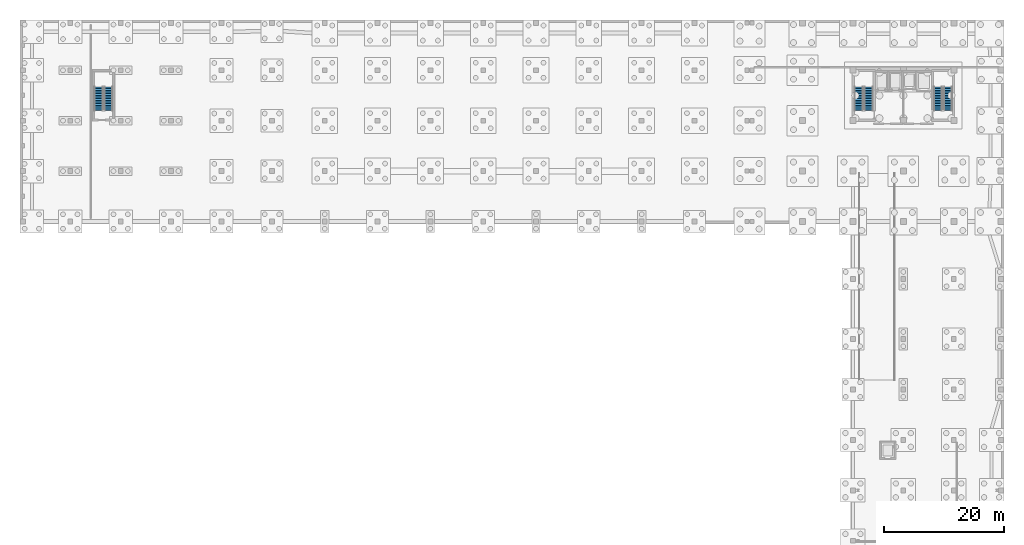
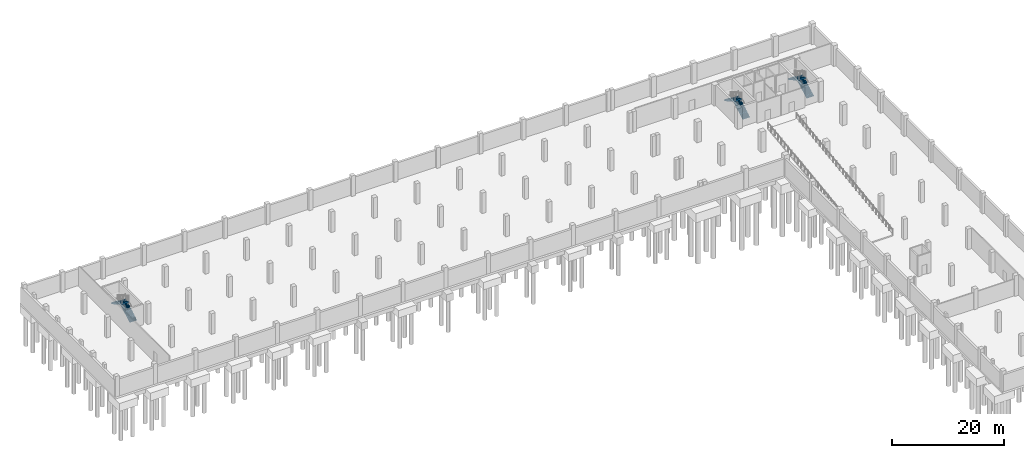
# One storey, part 14 of 18: 6 stair flights, 3 elements without a shape of their own.
"""IFC4 building model written with IfcOpenShell, lengths in metres."""

from ifc_helpers import new_model, si_unit, direction, frame, origin, place, context, subcontext, project, spatial, polyline, outline, extrude, material, type_object, element, aggregate, save


model = new_model("IFC4")

# Units and contexts
model_context = context("Model", 3, precision=1e-05, world=origin(), true_north=direction((0.0, 1.0)))
body_context = subcontext(model_context, "Body", "Model", "MODEL_VIEW")
ifc_project = project(units=[si_unit("LENGTHUNIT", "METRE"), si_unit("AREAUNIT", "SQUARE_METRE"), si_unit("VOLUMEUNIT", "CUBIC_METRE"), si_unit("PLANEANGLEUNIT", "RADIAN"), si_unit("MASSUNIT", "GRAM", prefix="KILO")], contexts=[model_context])

# Site, building, storey
site_placement = place(None, origin())
site = spatial("IfcSite", under=ifc_project, at=site_placement, CompositionType="ELEMENT")
building_placement = place(site_placement, origin())
building = spatial("IfcBuilding", under=site, at=building_placement, Name="Brinegate Botanical Conservatory", CompositionType="ELEMENT")
storey_placement = place(building_placement, frame((0.0, 0.0, -9.60009765625)))
storey = spatial("IfcBuildingStorey", under=building, at=storey_placement, Name="B2", CompositionType="ELEMENT", Elevation=-9.60009765625)

# Stair, stair flights
ifc_material = material(Name="Concrete C40/50", Category="concrete")
stair_type = type_object("IfcStairType", Name="Stair_HT-4800", PredefinedType="HALF_TURN_STAIR", material=ifc_material)
stair_1_placement = place(storey_placement, origin())
stair_1 = element("IfcStair", 1, at=stair_1_placement, inside=storey, type_object=stair_type, Name="B2 Tower West Smoke-Proof Stair ST1", PredefinedType="HALF_TURN_STAIR")
stair_flight_type = type_object("IfcStairFlightType", Name="Flight_SF-4800", PredefinedType="STRAIGHT", material=ifc_material)
stair_flight_1_placement = place(storey_placement, frame((141.425048828125, 96.89990234375, 0.0), z_axis=(0.0, 0.0, 1.0), x_axis=(0.0, 1.0, 0.0)))
stair_flight_1 = element("IfcStairFlight", 2, at=stair_flight_1_placement, type_object=stair_flight_type, Name="ST1 flight 1", NumberOfRisers=15, NumberOfTreads=14, PredefinedType="STRAIGHT", RiserHeight=0.16, TreadLength=0.28, context=body_context, shape_type="SweptSolid", body=[
    extrude(outline(polyline([(-0.00048828125, 0.0), (-0.00048828125, 0.159912109375), (0.280029296875, 0.159912109375), (0.280029296875, 0.320068359375), (0.56005859375, 0.320068359375), (0.56005859375, 0.47998046875), (0.840087890625, 0.47998046875), (0.840087890625, 0.639892578125), (1.1201171875, 0.639892578125), (1.1201171875, 0.800048828125), (1.39990234375, 0.800048828125), (1.39990234375, 0.9599609375), (1.679931640625, 0.9599609375), (1.679931640625, 1.1201171875), (1.9599609375, 1.1201171875), (1.9599609375, 1.280029296875), (2.239990234375, 1.280029296875), (2.239990234375, 1.43994140625), (2.52001953125, 1.43994140625), (2.52001953125, 1.60009765625), (2.800048828125, 1.60009765625), (2.800048828125, 1.760009765625), (3.080078125, 1.760009765625), (3.080078125, 1.919921875), (3.360107421875, 1.919921875), (3.360107421875, 2.080078125), (3.639892578125, 2.080078125), (3.639892578125, 2.239990234375), (3.919921875, 2.239990234375), (3.919921875, 2.39990234375), (3.92041015625, 2.39990234375), (3.92041015625, 2.0673828125), (0.30224609375, 0.0), (-0.00048828125, 0.0)])), frame((0.0, 0.72509765625, 0.0), z_axis=(0.0, -1.0, 0.0), x_axis=(1.0, 0.0, 0.0)), (0.0, 0.0, 1.0), 1.449951171875),
])
stair_flight_2_placement = place(storey_placement, frame((139.77490234375, 100.820068359375, 2.400146484375), z_axis=(0.0, 0.0, 1.0), x_axis=(0.0, -1.0, 0.0)))
stair_flight_2 = element("IfcStairFlight", 3, at=stair_flight_2_placement, type_object=stair_flight_type, Name="ST1 flight 2", NumberOfRisers=15, NumberOfTreads=14, PredefinedType="STRAIGHT", RiserHeight=0.16, TreadLength=0.28, context=body_context, shape_type="SweptSolid", body=[
    extrude(outline(polyline([(-0.00048828125, 0.0), (-0.00048828125, 0.159912109375), (0.280029296875, 0.159912109375), (0.280029296875, 0.320068359375), (0.56005859375, 0.320068359375), (0.56005859375, 0.47998046875), (0.840087890625, 0.47998046875), (0.840087890625, 0.639892578125), (1.1201171875, 0.639892578125), (1.1201171875, 0.800048828125), (1.39990234375, 0.800048828125), (1.39990234375, 0.9599609375), (1.679931640625, 0.9599609375), (1.679931640625, 1.1201171875), (1.9599609375, 1.1201171875), (1.9599609375, 1.280029296875), (2.239990234375, 1.280029296875), (2.239990234375, 1.43994140625), (2.52001953125, 1.43994140625), (2.52001953125, 1.60009765625), (2.800048828125, 1.60009765625), (2.800048828125, 1.760009765625), (3.080078125, 1.760009765625), (3.080078125, 1.919921875), (3.360107421875, 1.919921875), (3.360107421875, 2.080078125), (3.639892578125, 2.080078125), (3.639892578125, 2.239990234375), (3.919921875, 2.239990234375), (3.919921875, 2.39990234375), (3.92041015625, 2.39990234375), (3.92041015625, 2.0673828125), (0.30224609375, 0.0), (-0.00048828125, 0.0)])), frame((0.0, 0.72509765625, 0.0), z_axis=(0.0, -1.0, 0.0), x_axis=(1.0, 0.0, 0.0)), (0.0, 0.0, 1.0), 1.449951171875),
])
aggregate(stair_1, [stair_flight_1, stair_flight_2])

stair_2_placement = place(storey_placement, origin())
stair_2 = element("IfcStair", 4, at=stair_2_placement, inside=storey, type_object=stair_type, Name="B2 Tower East Smoke-Proof Stair ST2", PredefinedType="HALF_TURN_STAIR")
stair_flight_3_placement = place(storey_placement, frame((154.625, 96.89990234375, 0.0), z_axis=(0.0, 0.0, 1.0), x_axis=(0.0, 1.0, 0.0)))
stair_flight_3 = element("IfcStairFlight", 5, at=stair_flight_3_placement, type_object=stair_flight_type, Name="ST2 flight 1", NumberOfRisers=15, NumberOfTreads=14, PredefinedType="STRAIGHT", RiserHeight=0.16, TreadLength=0.28, context=body_context, shape_type="SweptSolid", body=[
    extrude(outline(polyline([(-0.00048828125, 0.0), (-0.00048828125, 0.159912109375), (0.280029296875, 0.159912109375), (0.280029296875, 0.320068359375), (0.56005859375, 0.320068359375), (0.56005859375, 0.47998046875), (0.840087890625, 0.47998046875), (0.840087890625, 0.639892578125), (1.1201171875, 0.639892578125), (1.1201171875, 0.800048828125), (1.39990234375, 0.800048828125), (1.39990234375, 0.9599609375), (1.679931640625, 0.9599609375), (1.679931640625, 1.1201171875), (1.9599609375, 1.1201171875), (1.9599609375, 1.280029296875), (2.239990234375, 1.280029296875), (2.239990234375, 1.43994140625), (2.52001953125, 1.43994140625), (2.52001953125, 1.60009765625), (2.800048828125, 1.60009765625), (2.800048828125, 1.760009765625), (3.080078125, 1.760009765625), (3.080078125, 1.919921875), (3.360107421875, 1.919921875), (3.360107421875, 2.080078125), (3.639892578125, 2.080078125), (3.639892578125, 2.239990234375), (3.919921875, 2.239990234375), (3.919921875, 2.39990234375), (3.92041015625, 2.39990234375), (3.92041015625, 2.0673828125), (0.30224609375, 0.0), (-0.00048828125, 0.0)])), frame((0.0, 0.72509765625, 0.0), z_axis=(0.0, -1.0, 0.0), x_axis=(1.0, 0.0, 0.0)), (0.0, 0.0, 1.0), 1.449951171875),
])
stair_flight_4_placement = place(storey_placement, frame((152.97509765625, 100.820068359375, 2.400146484375), z_axis=(0.0, 0.0, 1.0), x_axis=(0.0, -1.0, 0.0)))
stair_flight_4 = element("IfcStairFlight", 6, at=stair_flight_4_placement, type_object=stair_flight_type, Name="ST2 flight 2", NumberOfRisers=15, NumberOfTreads=14, PredefinedType="STRAIGHT", RiserHeight=0.16, TreadLength=0.28, context=body_context, shape_type="SweptSolid", body=[
    extrude(outline(polyline([(-0.00048828125, 0.0), (-0.00048828125, 0.159912109375), (0.280029296875, 0.159912109375), (0.280029296875, 0.320068359375), (0.56005859375, 0.320068359375), (0.56005859375, 0.47998046875), (0.840087890625, 0.47998046875), (0.840087890625, 0.639892578125), (1.1201171875, 0.639892578125), (1.1201171875, 0.800048828125), (1.39990234375, 0.800048828125), (1.39990234375, 0.9599609375), (1.679931640625, 0.9599609375), (1.679931640625, 1.1201171875), (1.9599609375, 1.1201171875), (1.9599609375, 1.280029296875), (2.239990234375, 1.280029296875), (2.239990234375, 1.43994140625), (2.52001953125, 1.43994140625), (2.52001953125, 1.60009765625), (2.800048828125, 1.60009765625), (2.800048828125, 1.760009765625), (3.080078125, 1.760009765625), (3.080078125, 1.919921875), (3.360107421875, 1.919921875), (3.360107421875, 2.080078125), (3.639892578125, 2.080078125), (3.639892578125, 2.239990234375), (3.919921875, 2.239990234375), (3.919921875, 2.39990234375), (3.92041015625, 2.39990234375), (3.92041015625, 2.0673828125), (0.30224609375, 0.0), (-0.00048828125, 0.0)])), frame((0.0, 0.72509765625, 0.0), z_axis=(0.0, -1.0, 0.0), x_axis=(1.0, 0.0, 0.0)), (0.0, 0.0, 1.0), 1.449951171875),
])
aggregate(stair_2, [stair_flight_3, stair_flight_4])

stair_3_placement = place(storey_placement, origin())
stair_3 = element("IfcStair", 7, at=stair_3_placement, inside=storey, type_object=stair_type, Name="B2 West Basement Car-Park Smoke-Proof Stair ST8", PredefinedType="HALF_TURN_STAIR")
stair_flight_5_placement = place(storey_placement, frame((14.77490234375, 96.89990234375, 0.0), z_axis=(0.0, 0.0, 1.0), x_axis=(0.0, 1.0, 0.0)))
stair_flight_5 = element("IfcStairFlight", 8, at=stair_flight_5_placement, type_object=stair_flight_type, Name="ST8 flight 1", NumberOfRisers=15, NumberOfTreads=14, PredefinedType="STRAIGHT", RiserHeight=0.16, TreadLength=0.28, context=body_context, shape_type="SweptSolid", body=[
    extrude(outline(polyline([(-0.00048828125, 0.0), (-0.00048828125, 0.159912109375), (0.280029296875, 0.159912109375), (0.280029296875, 0.320068359375), (0.56005859375, 0.320068359375), (0.56005859375, 0.47998046875), (0.840087890625, 0.47998046875), (0.840087890625, 0.639892578125), (1.1201171875, 0.639892578125), (1.1201171875, 0.800048828125), (1.39990234375, 0.800048828125), (1.39990234375, 0.9599609375), (1.679931640625, 0.9599609375), (1.679931640625, 1.1201171875), (1.9599609375, 1.1201171875), (1.9599609375, 1.280029296875), (2.239990234375, 1.280029296875), (2.239990234375, 1.43994140625), (2.52001953125, 1.43994140625), (2.52001953125, 1.60009765625), (2.800048828125, 1.60009765625), (2.800048828125, 1.760009765625), (3.080078125, 1.760009765625), (3.080078125, 1.919921875), (3.360107421875, 1.919921875), (3.360107421875, 2.080078125), (3.639892578125, 2.080078125), (3.639892578125, 2.239990234375), (3.919921875, 2.239990234375), (3.919921875, 2.39990234375), (3.92041015625, 2.39990234375), (3.92041015625, 2.0673828125), (0.30224609375, 0.0), (-0.00048828125, 0.0)])), frame((0.0, 0.72509765625, 0.0), z_axis=(0.0, -1.0, 0.0), x_axis=(1.0, 0.0, 0.0)), (0.0, 0.0, 1.0), 1.449951171875),
])
stair_flight_6_placement = place(storey_placement, frame((13.125, 100.820068359375, 2.400146484375), z_axis=(0.0, 0.0, 1.0), x_axis=(0.0, -1.0, 0.0)))
stair_flight_6 = element("IfcStairFlight", 9, at=stair_flight_6_placement, type_object=stair_flight_type, Name="ST8 flight 2", NumberOfRisers=15, NumberOfTreads=14, PredefinedType="STRAIGHT", RiserHeight=0.16, TreadLength=0.28, context=body_context, shape_type="SweptSolid", body=[
    extrude(outline(polyline([(-0.00048828125, 0.0), (-0.00048828125, 0.159912109375), (0.280029296875, 0.159912109375), (0.280029296875, 0.320068359375), (0.56005859375, 0.320068359375), (0.56005859375, 0.47998046875), (0.840087890625, 0.47998046875), (0.840087890625, 0.639892578125), (1.1201171875, 0.639892578125), (1.1201171875, 0.800048828125), (1.39990234375, 0.800048828125), (1.39990234375, 0.9599609375), (1.679931640625, 0.9599609375), (1.679931640625, 1.1201171875), (1.9599609375, 1.1201171875), (1.9599609375, 1.280029296875), (2.239990234375, 1.280029296875), (2.239990234375, 1.43994140625), (2.52001953125, 1.43994140625), (2.52001953125, 1.60009765625), (2.800048828125, 1.60009765625), (2.800048828125, 1.760009765625), (3.080078125, 1.760009765625), (3.080078125, 1.919921875), (3.360107421875, 1.919921875), (3.360107421875, 2.080078125), (3.639892578125, 2.080078125), (3.639892578125, 2.239990234375), (3.919921875, 2.239990234375), (3.919921875, 2.39990234375), (3.92041015625, 2.39990234375), (3.92041015625, 2.0673828125), (0.30224609375, 0.0), (-0.00048828125, 0.0)])), frame((0.0, 0.72509765625, 0.0), z_axis=(0.0, -1.0, 0.0), x_axis=(1.0, 0.0, 0.0)), (0.0, 0.0, 1.0), 1.449951171875),
])
aggregate(stair_3, [stair_flight_5, stair_flight_6])

save(model, "model.ifc")
